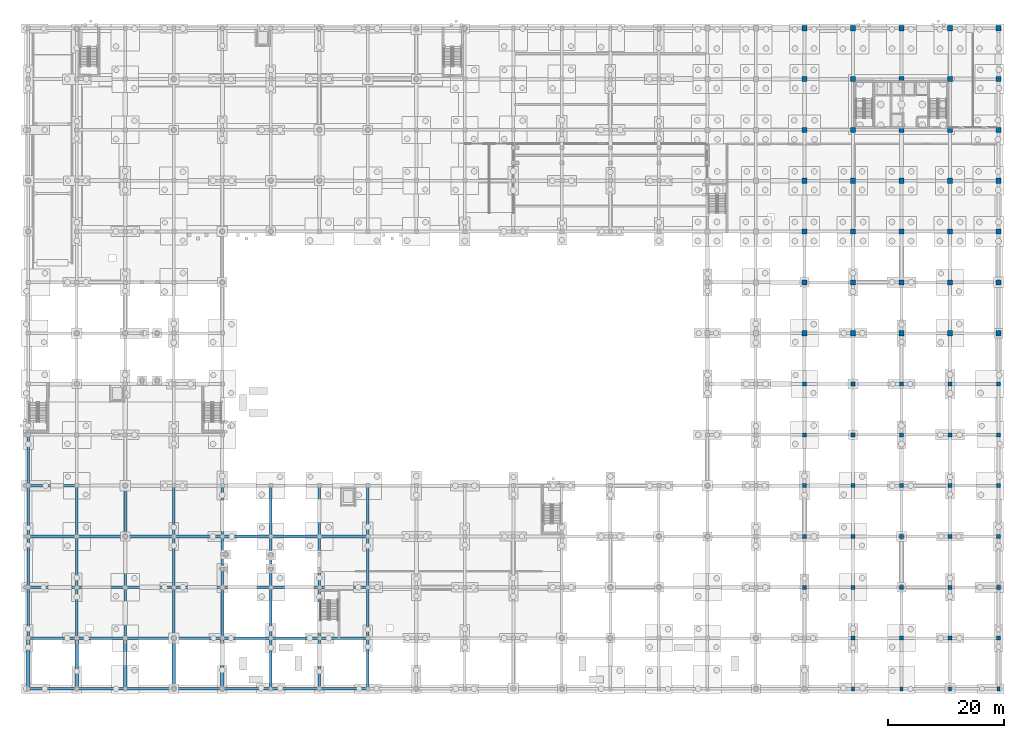
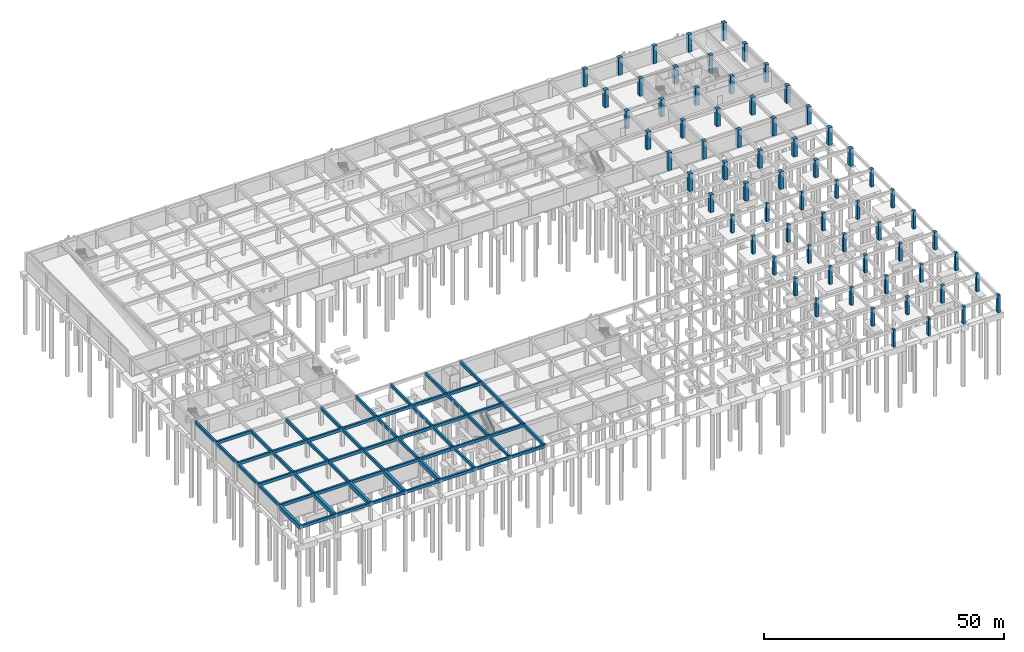
# One storey, part 14 of 41: 68 columns, 62 beams, 2 members.
"""IFC4 building model written with IfcOpenShell, lengths in metres."""

from ifc_helpers import new_model, si_unit, direction, frame, origin, origin_2d, place, context, subcontext, project, spatial, rectangle, hollow_rectangle, extrude, material, material_profile, profile_set, type_object, element, save


model = new_model("IFC4")

# Units and contexts
model_context = context("Model", 3, precision=1e-05, world=origin(), true_north=direction((0.0, 1.0)))
body_context = subcontext(model_context, "Body", "Model", "MODEL_VIEW")
ifc_project = project(units=[si_unit("LENGTHUNIT", "METRE"), si_unit("AREAUNIT", "SQUARE_METRE"), si_unit("VOLUMEUNIT", "CUBIC_METRE"), si_unit("PLANEANGLEUNIT", "RADIAN"), si_unit("MASSUNIT", "GRAM", prefix="KILO")], contexts=[model_context])

# Site, building, storey
site_placement = place(None, origin())
site = spatial("IfcSite", under=ifc_project, at=site_placement, CompositionType="ELEMENT")
building_placement = place(site_placement, origin())
building = spatial("IfcBuilding", under=site, at=building_placement, Name="Kemercrest Conservatory and Botanical Centre", CompositionType="ELEMENT")
storey_placement = place(building_placement, frame((0.0, 0.0, -4.5)))
storey = spatial("IfcBuildingStorey", under=building, at=storey_placement, Name="B1", CompositionType="ELEMENT", Elevation=-4.5)

# Columns
ifc_material_1 = material(Name="Concrete C50/60", Category="concrete")
ifc_material_profile_1 = material_profile(ifc_material_1, rectangle(XDim=0.699951171875, YDim=0.699951171875, at=origin_2d()), Name="RC 700x700")
ifc_profile_set_1 = profile_set([ifc_material_profile_1], Name="Concrete C50/60")
column_type_1 = type_object("IfcColumnType", Name="C-RC70", PredefinedType="COLUMN", material=ifc_profile_set_1)
for number, where, z_axis, x_axis, name in (
    (1, (142.39990234375, 25.60009765625, 0.0), (0.0, 0.0, 1.0), (1.0, 0.0, 0.0), "Basement column C-RC70 at 17/C"),
    (2, (142.39990234375, 34.39990234375, 0.0), (0.0, 0.0, 1.0), (1.0, 0.0, 0.0), "Basement column C-RC70 at 17/D"),
    (3, (142.39990234375, 43.199951171875, 0.0), (0.0, 0.0, 1.0), (1.0, 0.0, 0.0), "Basement column C-RC70 at 17/E"),
    (4, (142.39990234375, 52.0, 0.0), (0.0, 0.0, 1.0), (1.0, 0.0, 0.0), "Basement column C-RC70 at 17/F"),
    (5, (142.39990234375, 60.800048828125, 0.0), (0.0, 0.0, 1.0), (1.0, 0.0, 0.0), "Basement column C-RC70 at 17/G"),
    (6, (150.800048828125, 16.800048828125, 0.0), (0.0, 0.0, 1.0), (1.0, 0.0, 0.0), "Basement column C-RC70 at 18/B"),
    (7, (150.800048828125, 25.60009765625, 0.0), (0.0, 0.0, 1.0), (1.0, 0.0, 0.0), "Basement column C-RC70 at 18/C"),
    (8, (150.800048828125, 34.39990234375, 0.0), (0.0, 0.0, 1.0), (1.0, 0.0, 0.0), "Basement column C-RC70 at 18/D"),
    (9, (150.800048828125, 43.199951171875, 0.0), (0.0, 0.0, 1.0), (1.0, 0.0, 0.0), "Basement column C-RC70 at 18/E"),
    (10, (150.800048828125, 52.0, 0.0), (0.0, 0.0, 1.0), (1.0, 0.0, 0.0), "Basement column C-RC70 at 18/F"),
    (11, (150.800048828125, 60.800048828125, 0.0), (0.0, 0.0, 1.0), (1.0, 0.0, 0.0), "Basement column C-RC70 at 18/G"),
    (12, (159.199951171875, 16.800048828125, 0.0), (0.0, 0.0, 1.0), (1.0, 0.0, 0.0), "Basement column C-RC70 at 19/B"),
    (13, (159.199951171875, 25.60009765625, 0.0), (0.0, 0.0, 1.0), (1.0, 0.0, 0.0), "Basement column C-RC70 at 19/C"),
    (14, (159.199951171875, 34.39990234375, 0.0), (0.0, 0.0, 1.0), (1.0, 0.0, 0.0), "Basement column C-RC70 at 19/D"),
    (15, (159.199951171875, 43.199951171875, 0.0), (0.0, 0.0, 1.0), (1.0, 0.0, 0.0), "Basement column C-RC70 at 19/E"),
    (16, (159.199951171875, 52.0, 0.0), (0.0, 0.0, 1.0), (1.0, 0.0, 0.0), "Basement column C-RC70 at 19/F"),
    (17, (159.199951171875, 60.800048828125, 0.0), (0.0, 0.0, 1.0), (1.0, 0.0, 0.0), "Basement column C-RC70 at 19/G"),
    (18, (167.60009765625, 16.800048828125, 0.0), (0.0, 0.0, 1.0), (1.0, 0.0, 0.0), "Basement column C-RC70 at 20/B"),
    (19, (167.60009765625, 25.60009765625, 0.0), (0.0, 0.0, 1.0), (1.0, 0.0, 0.0), "Basement column C-RC70 at 20/C"),
    (20, (167.60009765625, 34.39990234375, 0.0), (0.0, 0.0, 1.0), (1.0, 0.0, 0.0), "Basement column C-RC70 at 20/D"),
    (21, (167.60009765625, 43.199951171875, 0.0), (0.0, 0.0, 1.0), (1.0, 0.0, 0.0), "Basement column C-RC70 at 20/E"),
    (22, (167.60009765625, 52.0, 0.0), (0.0, 0.0, 1.0), (1.0, 0.0, 0.0), "Basement column C-RC70 at 20/F"),
    (23, (167.60009765625, 60.800048828125, 0.0), (0.0, 0.0, 1.0), (1.0, 0.0, 0.0), "Basement column C-RC70 at 20/G"),
    (24, (176.0, 16.800048828125, 0.0), (0.0, 0.0, 1.0), (1.0, 0.0, 0.0), "Basement column C-RC70 at 21/B"),
    (25, (176.0, 25.60009765625, 0.0), (0.0, 0.0, 1.0), (1.0, 0.0, 0.0), "Basement column C-RC70 at 21/C"),
    (26, (176.0, 34.39990234375, 0.0), (0.0, 0.0, 1.0), (1.0, 0.0, 0.0), "Basement column C-RC70 at 21/D"),
    (27, (176.0, 43.199951171875, 0.0), (0.0, 0.0, 1.0), (1.0, 0.0, 0.0), "Basement column C-RC70 at 21/E"),
    (28, (176.0, 52.0, 0.0), (0.0, 0.0, 1.0), (1.0, 0.0, 0.0), "Basement column C-RC70 at 21/F"),
    (29, (176.0, 60.800048828125, 0.0), (0.0, 0.0, 1.0), (1.0, 0.0, 0.0), "Basement column C-RC70 at 21/G"),
):
    element("IfcColumn", number, at=place(storey_placement, frame(where, z_axis=z_axis, x_axis=x_axis)), inside=storey, type_object=column_type_1, Name=name, PredefinedType="COLUMN", context=body_context, shape_type="SweptSolid", body=[
        extrude(rectangle(XDim=0.699951171875, YDim=0.699951171875, at=origin_2d()), origin(), (0.0, 0.0, 1.0), 4.5),
    ])
ifc_material_profile_2 = material_profile(ifc_material_1, rectangle(XDim=0.550048828125, YDim=0.75, at=origin_2d()), Name="RC 750x550")
ifc_profile_set_2 = profile_set([ifc_material_profile_2], Name="Concrete C50/60")
column_type_2 = type_object("IfcColumnType", Name="C-RC75", PredefinedType="COLUMN", material=ifc_profile_set_2)
for number, where, z_axis, x_axis, name in (
    (30, (150.800048828125, 8.0, 0.0), (0.0, 0.0, 1.0), (1.0, 0.0, 0.0), "Basement column C-RC75 at 18/A"),
    (31, (159.199951171875, 8.0, 0.0), (0.0, 0.0, 1.0), (1.0, 0.0, 0.0), "Basement column C-RC75 at 19/A"),
    (32, (167.60009765625, 8.0, 0.0), (0.0, 0.0, 1.0), (1.0, 0.0, 0.0), "Basement column C-RC75 at 20/A"),
    (33, (176.0, 8.0, 0.0), (0.0, 0.0, 1.0), (1.0, 0.0, 0.0), "Basement column C-RC75 at 21/A"),
):
    element("IfcColumn", number, at=place(storey_placement, frame(where, z_axis=z_axis, x_axis=x_axis)), inside=storey, type_object=column_type_2, Name=name, PredefinedType="COLUMN", context=body_context, shape_type="SweptSolid", body=[
        extrude(rectangle(XDim=0.550048828125, YDim=0.75, at=origin_2d()), origin(), (0.0, 0.0, 1.0), 4.5),
    ])
ifc_material_profile_3 = material_profile(ifc_material_1, rectangle(XDim=0.89990234375, YDim=0.89990234375, at=origin_2d()), Name="RC 900x900")
ifc_profile_set_3 = profile_set([ifc_material_profile_3], Name="Concrete C50/60")
column_type_3 = type_object("IfcColumnType", Name="C-RC90", PredefinedType="COLUMN", material=ifc_profile_set_3)
for number, where, z_axis, x_axis, name in (
    (34, (142.39990234375, 69.60009765625, 0.0), (0.0, 0.0, 1.0), (1.0, 0.0, 0.0), "Basement column C-RC90 at 17/H"),
    (35, (142.39990234375, 78.39990234375, 0.0), (0.0, 0.0, 1.0), (1.0, 0.0, 0.0), "Basement column C-RC90 at 17/J"),
    (36, (142.39990234375, 87.199951171875, 0.0), (0.0, 0.0, 1.0), (1.0, 0.0, 0.0), "Basement column C-RC90 at 17/K"),
    (37, (142.39990234375, 96.0, 0.0), (0.0, 0.0, 1.0), (1.0, 0.0, 0.0), "Basement column C-RC90 at 17/L"),
    (38, (142.39990234375, 104.800048828125, 0.0), (0.0, 0.0, 1.0), (1.0, 0.0, 0.0), "Basement column C-RC90 at 17/M"),
    (39, (142.39990234375, 113.60009765625, 0.0), (0.0, 0.0, 1.0), (1.0, 0.0, 0.0), "Basement column C-RC90 at 17/N"),
    (40, (142.39990234375, 122.39990234375, 0.0), (0.0, 0.0, 1.0), (1.0, 0.0, 0.0), "Basement column C-RC90 at 17/P"),
    (41, (150.800048828125, 69.60009765625, 0.0), (0.0, 0.0, 1.0), (1.0, 0.0, 0.0), "Basement column C-RC90 at 18/H"),
    (42, (150.800048828125, 78.39990234375, 0.0), (0.0, 0.0, 1.0), (1.0, 0.0, 0.0), "Basement column C-RC90 at 18/J"),
    (43, (150.800048828125, 87.199951171875, 0.0), (0.0, 0.0, 1.0), (1.0, 0.0, 0.0), "Basement column C-RC90 at 18/K"),
    (44, (150.800048828125, 96.0, 0.0), (0.0, 0.0, 1.0), (1.0, 0.0, 0.0), "Basement column C-RC90 at 18/L"),
    (45, (150.800048828125, 104.800048828125, 0.0), (0.0, 0.0, 1.0), (1.0, 0.0, 0.0), "Basement column C-RC90 at 18/M"),
    (46, (150.800048828125, 113.60009765625, 0.0), (0.0, 0.0, 1.0), (1.0, 0.0, 0.0), "Basement column C-RC90 at 18/N"),
    (47, (150.800048828125, 122.39990234375, 0.0), (0.0, 0.0, 1.0), (1.0, 0.0, 0.0), "Basement column C-RC90 at 18/P"),
    (48, (159.199951171875, 69.60009765625, 0.0), (0.0, 0.0, 1.0), (1.0, 0.0, 0.0), "Basement column C-RC90 at 19/H"),
    (49, (159.199951171875, 78.39990234375, 0.0), (0.0, 0.0, 1.0), (1.0, 0.0, 0.0), "Basement column C-RC90 at 19/J"),
    (50, (159.199951171875, 87.199951171875, 0.0), (0.0, 0.0, 1.0), (1.0, 0.0, 0.0), "Basement column C-RC90 at 19/K"),
    (51, (159.199951171875, 96.0, 0.0), (0.0, 0.0, 1.0), (1.0, 0.0, 0.0), "Basement column C-RC90 at 19/L"),
    (52, (159.199951171875, 104.800048828125, 0.0), (0.0, 0.0, 1.0), (1.0, 0.0, 0.0), "Basement column C-RC90 at 19/M"),
    (53, (159.199951171875, 113.60009765625, 0.0), (0.0, 0.0, 1.0), (1.0, 0.0, 0.0), "Basement column C-RC90 at 19/N"),
    (54, (159.199951171875, 122.39990234375, 0.0), (0.0, 0.0, 1.0), (1.0, 0.0, 0.0), "Basement column C-RC90 at 19/P"),
    (55, (167.60009765625, 69.60009765625, 0.0), (0.0, 0.0, 1.0), (1.0, 0.0, 0.0), "Basement column C-RC90 at 20/H"),
    (56, (167.60009765625, 78.39990234375, 0.0), (0.0, 0.0, 1.0), (1.0, 0.0, 0.0), "Basement column C-RC90 at 20/J"),
    (57, (167.60009765625, 87.199951171875, 0.0), (0.0, 0.0, 1.0), (1.0, 0.0, 0.0), "Basement column C-RC90 at 20/K"),
    (58, (167.60009765625, 96.0, 0.0), (0.0, 0.0, 1.0), (1.0, 0.0, 0.0), "Basement column C-RC90 at 20/L"),
    (59, (167.60009765625, 104.800048828125, 0.0), (0.0, 0.0, 1.0), (1.0, 0.0, 0.0), "Basement column C-RC90 at 20/M"),
    (60, (167.60009765625, 113.60009765625, 0.0), (0.0, 0.0, 1.0), (1.0, 0.0, 0.0), "Basement column C-RC90 at 20/N"),
    (61, (167.60009765625, 122.39990234375, 0.0), (0.0, 0.0, 1.0), (1.0, 0.0, 0.0), "Basement column C-RC90 at 20/P"),
    (62, (176.0, 69.60009765625, 0.0), (0.0, 0.0, 1.0), (1.0, 0.0, 0.0), "Basement column C-RC90 at 21/H"),
    (63, (176.0, 78.39990234375, 0.0), (0.0, 0.0, 1.0), (1.0, 0.0, 0.0), "Basement column C-RC90 at 21/J"),
    (64, (176.0, 87.199951171875, 0.0), (0.0, 0.0, 1.0), (1.0, 0.0, 0.0), "Basement column C-RC90 at 21/K"),
    (65, (176.0, 96.0, 0.0), (0.0, 0.0, 1.0), (1.0, 0.0, 0.0), "Basement column C-RC90 at 21/L"),
    (66, (176.0, 104.800048828125, 0.0), (0.0, 0.0, 1.0), (1.0, 0.0, 0.0), "Basement column C-RC90 at 21/M"),
    (67, (176.0, 113.60009765625, 0.0), (0.0, 0.0, 1.0), (1.0, 0.0, 0.0), "Basement column C-RC90 at 21/N"),
    (68, (176.0, 122.39990234375, 0.0), (0.0, 0.0, 1.0), (1.0, 0.0, 0.0), "Basement column C-RC90 at 21/P"),
):
    element("IfcColumn", number, at=place(storey_placement, frame(where, z_axis=z_axis, x_axis=x_axis)), inside=storey, type_object=column_type_3, Name=name, PredefinedType="COLUMN", context=body_context, shape_type="SweptSolid", body=[
        extrude(rectangle(XDim=0.89990234375, YDim=0.89990234375, at=origin_2d()), origin(), (0.0, 0.0, 1.0), 4.5),
    ])

# Beams
ifc_material_2 = material(Name="Concrete C40/50", Category="concrete")
ifc_material_profile_4 = material_profile(ifc_material_2, rectangle(XDim=0.449951171875, YDim=0.75, at=origin_2d()), Name="RC 450x750")
ifc_profile_set_4 = profile_set([ifc_material_profile_4], Name="Concrete C40/50")
beam_type_1 = type_object("IfcBeamType", Name="BM-RC75", PredefinedType="BEAM", material=ifc_profile_set_4)
beam_1_placement = place(storey_placement, frame((8.0, 8.0, 4.125), z_axis=(1.0, 0.0, 0.0), x_axis=(0.0, 1.0, 0.0)))
element("IfcBeam", 69, at=beam_1_placement, inside=storey, type_object=beam_type_1, Name="B1 girder 01-02 on A", PredefinedType="BEAM", context=body_context, shape_type="SweptSolid", body=[
    extrude(rectangle(XDim=0.449951171875, YDim=0.75, at=origin_2d()), origin(), (0.0, 0.0, 1.0), 8.39990234375),
])
beam_2_placement = place(storey_placement, frame((16.39990234375, 8.0, 4.125), z_axis=(1.0, 0.0, 0.0), x_axis=(0.0, 1.0, 0.0)))
element("IfcBeam", 70, at=beam_2_placement, inside=storey, type_object=beam_type_1, Name="B1 girder 02-03 on A", PredefinedType="BEAM", context=body_context, shape_type="SweptSolid", body=[
    extrude(rectangle(XDim=0.449951171875, YDim=0.75, at=origin_2d()), origin(), (0.0, 0.0, 1.0), 8.400146484375),
])
beam_3_placement = place(storey_placement, frame((24.800048828125, 8.0, 4.125), z_axis=(1.0, 0.0, 0.0), x_axis=(0.0, 1.0, 0.0)))
element("IfcBeam", 71, at=beam_3_placement, inside=storey, type_object=beam_type_1, Name="B1 girder 03-04 on A", PredefinedType="BEAM", context=body_context, shape_type="SweptSolid", body=[
    extrude(rectangle(XDim=0.449951171875, YDim=0.75, at=origin_2d()), origin(), (0.0, 0.0, 1.0), 8.39990234375),
])
beam_4_placement = place(storey_placement, frame((33.199951171875, 8.0, 4.125), z_axis=(1.0, 0.0, 0.0), x_axis=(0.0, 1.0, 0.0)))
element("IfcBeam", 72, at=beam_4_placement, inside=storey, type_object=beam_type_1, Name="B1 girder 04-05 on A", PredefinedType="BEAM", context=body_context, shape_type="SweptSolid", body=[
    extrude(rectangle(XDim=0.449951171875, YDim=0.75, at=origin_2d()), origin(), (0.0, 0.0, 1.0), 8.400146484375),
])
for number, where, z_axis, x_axis, name in (
    (73, (41.60009765625, 8.0, 4.125), (1.0, 0.0, 0.0), (0.0, 1.0, 0.0), "B1 girder 05-06 on A"),
    (74, (50.0, 8.0, 4.125), (1.0, 0.0, 0.0), (0.0, 1.0, 0.0), "B1 girder 06-07 on A"),
):
    element("IfcBeam", number, at=place(storey_placement, frame(where, z_axis=z_axis, x_axis=x_axis)), inside=storey, type_object=beam_type_1, Name=name, PredefinedType="BEAM", context=body_context, shape_type="SweptSolid", body=[
        extrude(rectangle(XDim=0.449951171875, YDim=0.75, at=origin_2d()), origin(), (0.0, 0.0, 1.0), 8.39990234375),
    ])
beam_5_placement = place(storey_placement, frame((58.39990234375, 8.0, 4.125), z_axis=(1.0, 0.0, 0.0), x_axis=(0.0, 1.0, 0.0)))
element("IfcBeam", 75, at=beam_5_placement, inside=storey, type_object=beam_type_1, Name="B1 girder 07-08 on A", PredefinedType="BEAM", context=body_context, shape_type="SweptSolid", body=[
    extrude(rectangle(XDim=0.449951171875, YDim=0.75, at=origin_2d()), origin(), (0.0, 0.0, 1.0), 8.400146484375),
])
beam_6_placement = place(storey_placement, frame((8.0, 16.800048828125, 4.125), z_axis=(1.0, 0.0, 0.0), x_axis=(0.0, 1.0, 0.0)))
element("IfcBeam", 76, at=beam_6_placement, inside=storey, type_object=beam_type_1, Name="B1 girder 01-02 on B", PredefinedType="BEAM", context=body_context, shape_type="SweptSolid", body=[
    extrude(rectangle(XDim=0.449951171875, YDim=0.75, at=origin_2d()), origin(), (0.0, 0.0, 1.0), 8.39990234375),
])
beam_7_placement = place(storey_placement, frame((16.39990234375, 16.800048828125, 4.125), z_axis=(1.0, 0.0, 0.0), x_axis=(0.0, 1.0, 0.0)))
element("IfcBeam", 77, at=beam_7_placement, inside=storey, type_object=beam_type_1, Name="B1 girder 02-03 on B", PredefinedType="BEAM", context=body_context, shape_type="SweptSolid", body=[
    extrude(rectangle(XDim=0.449951171875, YDim=0.75, at=origin_2d()), origin(), (0.0, 0.0, 1.0), 8.400146484375),
])
beam_8_placement = place(storey_placement, frame((24.800048828125, 16.800048828125, 4.125), z_axis=(1.0, 0.0, 0.0), x_axis=(0.0, 1.0, 0.0)))
element("IfcBeam", 78, at=beam_8_placement, inside=storey, type_object=beam_type_1, Name="B1 girder 03-04 on B", PredefinedType="BEAM", context=body_context, shape_type="SweptSolid", body=[
    extrude(rectangle(XDim=0.449951171875, YDim=0.75, at=origin_2d()), origin(), (0.0, 0.0, 1.0), 8.39990234375),
])
beam_9_placement = place(storey_placement, frame((33.199951171875, 16.800048828125, 4.125), z_axis=(1.0, 0.0, 0.0), x_axis=(0.0, 1.0, 0.0)))
element("IfcBeam", 79, at=beam_9_placement, inside=storey, type_object=beam_type_1, Name="B1 girder 04-05 on B", PredefinedType="BEAM", context=body_context, shape_type="SweptSolid", body=[
    extrude(rectangle(XDim=0.449951171875, YDim=0.75, at=origin_2d()), origin(), (0.0, 0.0, 1.0), 8.400146484375),
])
for number, where, z_axis, x_axis, name in (
    (80, (41.60009765625, 16.800048828125, 4.125), (1.0, 0.0, 0.0), (0.0, 1.0, 0.0), "B1 girder 05-06 on B"),
    (81, (50.0, 16.800048828125, 4.125), (1.0, 0.0, 0.0), (0.0, 1.0, 0.0), "B1 girder 06-07 on B"),
):
    element("IfcBeam", number, at=place(storey_placement, frame(where, z_axis=z_axis, x_axis=x_axis)), inside=storey, type_object=beam_type_1, Name=name, PredefinedType="BEAM", context=body_context, shape_type="SweptSolid", body=[
        extrude(rectangle(XDim=0.449951171875, YDim=0.75, at=origin_2d()), origin(), (0.0, 0.0, 1.0), 8.39990234375),
    ])
beam_10_placement = place(storey_placement, frame((58.39990234375, 16.800048828125, 4.125), z_axis=(1.0, 0.0, 0.0), x_axis=(0.0, 1.0, 0.0)))
element("IfcBeam", 82, at=beam_10_placement, inside=storey, type_object=beam_type_1, Name="B1 girder 07-08 on B", PredefinedType="BEAM", context=body_context, shape_type="SweptSolid", body=[
    extrude(rectangle(XDim=0.449951171875, YDim=0.75, at=origin_2d()), origin(), (0.0, 0.0, 1.0), 8.400146484375),
])
beam_11_placement = place(storey_placement, frame((8.0, 25.60009765625, 4.125), z_axis=(1.0, 0.0, 0.0), x_axis=(0.0, 1.0, 0.0)))
element("IfcBeam", 83, at=beam_11_placement, inside=storey, type_object=beam_type_1, Name="B1 girder 01-02 on C", PredefinedType="BEAM", context=body_context, shape_type="SweptSolid", body=[
    extrude(rectangle(XDim=0.449951171875, YDim=0.75, at=origin_2d()), origin(), (0.0, 0.0, 1.0), 8.39990234375),
])
beam_12_placement = place(storey_placement, frame((16.39990234375, 25.60009765625, 4.125), z_axis=(1.0, 0.0, 0.0), x_axis=(0.0, 1.0, 0.0)))
element("IfcBeam", 84, at=beam_12_placement, inside=storey, type_object=beam_type_1, Name="B1 girder 02-03 on C", PredefinedType="BEAM", context=body_context, shape_type="SweptSolid", body=[
    extrude(rectangle(XDim=0.449951171875, YDim=0.75, at=origin_2d()), origin(), (0.0, 0.0, 1.0), 8.400146484375),
])
beam_13_placement = place(storey_placement, frame((24.800048828125, 25.60009765625, 4.125), z_axis=(1.0, 0.0, 0.0), x_axis=(0.0, 1.0, 0.0)))
element("IfcBeam", 85, at=beam_13_placement, inside=storey, type_object=beam_type_1, Name="B1 girder 03-04 on C", PredefinedType="BEAM", context=body_context, shape_type="SweptSolid", body=[
    extrude(rectangle(XDim=0.449951171875, YDim=0.75, at=origin_2d()), origin(), (0.0, 0.0, 1.0), 8.39990234375),
])
beam_14_placement = place(storey_placement, frame((33.199951171875, 25.60009765625, 4.125), z_axis=(1.0, 0.0, 0.0), x_axis=(0.0, 1.0, 0.0)))
element("IfcBeam", 86, at=beam_14_placement, inside=storey, type_object=beam_type_1, Name="B1 girder 04-05 on C", PredefinedType="BEAM", context=body_context, shape_type="SweptSolid", body=[
    extrude(rectangle(XDim=0.449951171875, YDim=0.75, at=origin_2d()), origin(), (0.0, 0.0, 1.0), 8.400146484375),
])
for number, where, z_axis, x_axis, name in (
    (87, (41.60009765625, 25.60009765625, 4.125), (1.0, 0.0, 0.0), (0.0, 1.0, 0.0), "B1 girder 05-06 on C"),
    (88, (50.0, 25.60009765625, 4.125), (1.0, 0.0, 0.0), (0.0, 1.0, 0.0), "B1 girder 06-07 on C"),
):
    element("IfcBeam", number, at=place(storey_placement, frame(where, z_axis=z_axis, x_axis=x_axis)), inside=storey, type_object=beam_type_1, Name=name, PredefinedType="BEAM", context=body_context, shape_type="SweptSolid", body=[
        extrude(rectangle(XDim=0.449951171875, YDim=0.75, at=origin_2d()), origin(), (0.0, 0.0, 1.0), 8.39990234375),
    ])
beam_15_placement = place(storey_placement, frame((58.39990234375, 25.60009765625, 4.125), z_axis=(1.0, 0.0, 0.0), x_axis=(0.0, 1.0, 0.0)))
element("IfcBeam", 89, at=beam_15_placement, inside=storey, type_object=beam_type_1, Name="B1 girder 07-08 on C", PredefinedType="BEAM", context=body_context, shape_type="SweptSolid", body=[
    extrude(rectangle(XDim=0.449951171875, YDim=0.75, at=origin_2d()), origin(), (0.0, 0.0, 1.0), 8.400146484375),
])
beam_16_placement = place(storey_placement, frame((8.0, 34.39990234375, 4.125), z_axis=(1.0, 0.0, 0.0), x_axis=(0.0, 1.0, 0.0)))
element("IfcBeam", 90, at=beam_16_placement, inside=storey, type_object=beam_type_1, Name="B1 girder 01-02 on D", PredefinedType="BEAM", context=body_context, shape_type="SweptSolid", body=[
    extrude(rectangle(XDim=0.449951171875, YDim=0.75, at=origin_2d()), origin(), (0.0, 0.0, 1.0), 8.39990234375),
])
beam_17_placement = place(storey_placement, frame((16.39990234375, 34.39990234375, 4.125), z_axis=(1.0, 0.0, 0.0), x_axis=(0.0, 1.0, 0.0)))
element("IfcBeam", 91, at=beam_17_placement, inside=storey, type_object=beam_type_1, Name="B1 girder 02-03 on D", PredefinedType="BEAM", context=body_context, shape_type="SweptSolid", body=[
    extrude(rectangle(XDim=0.449951171875, YDim=0.75, at=origin_2d()), origin(), (0.0, 0.0, 1.0), 8.400146484375),
])
beam_18_placement = place(storey_placement, frame((24.800048828125, 34.39990234375, 4.125), z_axis=(1.0, 0.0, 0.0), x_axis=(0.0, 1.0, 0.0)))
element("IfcBeam", 92, at=beam_18_placement, inside=storey, type_object=beam_type_1, Name="B1 girder 03-04 on D", PredefinedType="BEAM", context=body_context, shape_type="SweptSolid", body=[
    extrude(rectangle(XDim=0.449951171875, YDim=0.75, at=origin_2d()), origin(), (0.0, 0.0, 1.0), 8.39990234375),
])
beam_19_placement = place(storey_placement, frame((33.199951171875, 34.39990234375, 4.125), z_axis=(1.0, 0.0, 0.0), x_axis=(0.0, 1.0, 0.0)))
element("IfcBeam", 93, at=beam_19_placement, inside=storey, type_object=beam_type_1, Name="B1 girder 04-05 on D", PredefinedType="BEAM", context=body_context, shape_type="SweptSolid", body=[
    extrude(rectangle(XDim=0.449951171875, YDim=0.75, at=origin_2d()), origin(), (0.0, 0.0, 1.0), 8.400146484375),
])
for number, where, z_axis, x_axis, name in (
    (94, (41.60009765625, 34.39990234375, 4.125), (1.0, 0.0, 0.0), (0.0, 1.0, 0.0), "B1 girder 05-06 on D"),
    (95, (50.0, 34.39990234375, 4.125), (1.0, 0.0, 0.0), (0.0, 1.0, 0.0), "B1 girder 06-07 on D"),
):
    element("IfcBeam", number, at=place(storey_placement, frame(where, z_axis=z_axis, x_axis=x_axis)), inside=storey, type_object=beam_type_1, Name=name, PredefinedType="BEAM", context=body_context, shape_type="SweptSolid", body=[
        extrude(rectangle(XDim=0.449951171875, YDim=0.75, at=origin_2d()), origin(), (0.0, 0.0, 1.0), 8.39990234375),
    ])
beam_20_placement = place(storey_placement, frame((58.39990234375, 34.39990234375, 4.125), z_axis=(1.0, 0.0, 0.0), x_axis=(0.0, 1.0, 0.0)))
element("IfcBeam", 96, at=beam_20_placement, inside=storey, type_object=beam_type_1, Name="B1 girder 07-08 on D", PredefinedType="BEAM", context=body_context, shape_type="SweptSolid", body=[
    extrude(rectangle(XDim=0.449951171875, YDim=0.75, at=origin_2d()), origin(), (0.0, 0.0, 1.0), 8.400146484375),
])
beam_21_placement = place(storey_placement, frame((8.0, 43.199951171875, 4.125), z_axis=(1.0, 0.0, 0.0), x_axis=(0.0, 1.0, 0.0)))
element("IfcBeam", 97, at=beam_21_placement, inside=storey, type_object=beam_type_1, Name="B1 girder 01-02 on E", PredefinedType="BEAM", context=body_context, shape_type="SweptSolid", body=[
    extrude(rectangle(XDim=0.449951171875, YDim=0.75, at=origin_2d()), origin(), (0.0, 0.0, 1.0), 8.39990234375),
])
beam_22_placement = place(storey_placement, frame((8.0, 16.800048828125, 4.125), z_axis=(0.0, 1.0, 0.0), x_axis=(-1.0, 0.0, 0.0)))
element("IfcBeam", 98, at=beam_22_placement, inside=storey, type_object=beam_type_1, Name="B1 girder B-C on 01", PredefinedType="BEAM", context=body_context, shape_type="SweptSolid", body=[
    extrude(rectangle(XDim=0.449951171875, YDim=0.75, at=origin_2d()), origin(), (0.0, 0.0, 1.0), 8.800048828125),
])
beam_23_placement = place(storey_placement, frame((8.0, 25.60009765625, 4.125), z_axis=(0.0, 1.0, 0.0), x_axis=(-1.0, 0.0, 0.0)))
element("IfcBeam", 99, at=beam_23_placement, inside=storey, type_object=beam_type_1, Name="B1 girder C-D on 01", PredefinedType="BEAM", context=body_context, shape_type="SweptSolid", body=[
    extrude(rectangle(XDim=0.449951171875, YDim=0.75, at=origin_2d()), origin(), (0.0, 0.0, 1.0), 8.7998046875),
])
for number, where, z_axis, x_axis, name in (
    (100, (8.0, 34.39990234375, 4.125), (0.0, 1.0, 0.0), (-1.0, 0.0, 0.0), "B1 girder D-E on 01"),
    (101, (8.0, 43.199951171875, 4.125), (0.0, 1.0, 0.0), (-1.0, 0.0, 0.0), "B1 girder E-F on 01"),
    (102, (16.39990234375, 16.800048828125, 4.125), (0.0, 1.0, 0.0), (-1.0, 0.0, 0.0), "B1 girder B-C on 02"),
):
    element("IfcBeam", number, at=place(storey_placement, frame(where, z_axis=z_axis, x_axis=x_axis)), inside=storey, type_object=beam_type_1, Name=name, PredefinedType="BEAM", context=body_context, shape_type="SweptSolid", body=[
        extrude(rectangle(XDim=0.449951171875, YDim=0.75, at=origin_2d()), origin(), (0.0, 0.0, 1.0), 8.800048828125),
    ])
beam_24_placement = place(storey_placement, frame((16.39990234375, 25.60009765625, 4.125), z_axis=(0.0, 1.0, 0.0), x_axis=(-1.0, 0.0, 0.0)))
element("IfcBeam", 103, at=beam_24_placement, inside=storey, type_object=beam_type_1, Name="B1 girder C-D on 02", PredefinedType="BEAM", context=body_context, shape_type="SweptSolid", body=[
    extrude(rectangle(XDim=0.449951171875, YDim=0.75, at=origin_2d()), origin(), (0.0, 0.0, 1.0), 8.7998046875),
])
for number, where, z_axis, x_axis, name in (
    (104, (16.39990234375, 34.39990234375, 4.125), (0.0, 1.0, 0.0), (-1.0, 0.0, 0.0), "B1 girder D-E on 02"),
    (105, (24.800048828125, 16.800048828125, 4.125), (0.0, 1.0, 0.0), (-1.0, 0.0, 0.0), "B1 girder B-C on 03"),
):
    element("IfcBeam", number, at=place(storey_placement, frame(where, z_axis=z_axis, x_axis=x_axis)), inside=storey, type_object=beam_type_1, Name=name, PredefinedType="BEAM", context=body_context, shape_type="SweptSolid", body=[
        extrude(rectangle(XDim=0.449951171875, YDim=0.75, at=origin_2d()), origin(), (0.0, 0.0, 1.0), 8.800048828125),
    ])
beam_25_placement = place(storey_placement, frame((24.800048828125, 25.60009765625, 4.125), z_axis=(0.0, 1.0, 0.0), x_axis=(-1.0, 0.0, 0.0)))
element("IfcBeam", 106, at=beam_25_placement, inside=storey, type_object=beam_type_1, Name="B1 girder C-D on 03", PredefinedType="BEAM", context=body_context, shape_type="SweptSolid", body=[
    extrude(rectangle(XDim=0.449951171875, YDim=0.75, at=origin_2d()), origin(), (0.0, 0.0, 1.0), 8.7998046875),
])
for number, where, z_axis, x_axis, name in (
    (107, (24.800048828125, 34.39990234375, 4.125), (0.0, 1.0, 0.0), (-1.0, 0.0, 0.0), "B1 girder D-E on 03"),
    (108, (33.199951171875, 16.800048828125, 4.125), (0.0, 1.0, 0.0), (-1.0, 0.0, 0.0), "B1 girder B-C on 04"),
):
    element("IfcBeam", number, at=place(storey_placement, frame(where, z_axis=z_axis, x_axis=x_axis)), inside=storey, type_object=beam_type_1, Name=name, PredefinedType="BEAM", context=body_context, shape_type="SweptSolid", body=[
        extrude(rectangle(XDim=0.449951171875, YDim=0.75, at=origin_2d()), origin(), (0.0, 0.0, 1.0), 8.800048828125),
    ])
beam_26_placement = place(storey_placement, frame((33.199951171875, 25.60009765625, 4.125), z_axis=(0.0, 1.0, 0.0), x_axis=(-1.0, 0.0, 0.0)))
element("IfcBeam", 109, at=beam_26_placement, inside=storey, type_object=beam_type_1, Name="B1 girder C-D on 04", PredefinedType="BEAM", context=body_context, shape_type="SweptSolid", body=[
    extrude(rectangle(XDim=0.449951171875, YDim=0.75, at=origin_2d()), origin(), (0.0, 0.0, 1.0), 8.7998046875),
])
for number, where, z_axis, x_axis, name in (
    (110, (33.199951171875, 34.39990234375, 4.125), (0.0, 1.0, 0.0), (-1.0, 0.0, 0.0), "B1 girder D-E on 04"),
    (111, (41.60009765625, 16.800048828125, 4.125), (0.0, 1.0, 0.0), (-1.0, 0.0, 0.0), "B1 girder B-C on 05"),
):
    element("IfcBeam", number, at=place(storey_placement, frame(where, z_axis=z_axis, x_axis=x_axis)), inside=storey, type_object=beam_type_1, Name=name, PredefinedType="BEAM", context=body_context, shape_type="SweptSolid", body=[
        extrude(rectangle(XDim=0.449951171875, YDim=0.75, at=origin_2d()), origin(), (0.0, 0.0, 1.0), 8.800048828125),
    ])
beam_27_placement = place(storey_placement, frame((41.60009765625, 25.60009765625, 4.125), z_axis=(0.0, 1.0, 0.0), x_axis=(-1.0, 0.0, 0.0)))
element("IfcBeam", 112, at=beam_27_placement, inside=storey, type_object=beam_type_1, Name="B1 girder C-D on 05", PredefinedType="BEAM", context=body_context, shape_type="SweptSolid", body=[
    extrude(rectangle(XDim=0.449951171875, YDim=0.75, at=origin_2d()), origin(), (0.0, 0.0, 1.0), 8.7998046875),
])
for number, where, z_axis, x_axis, name in (
    (113, (41.60009765625, 34.39990234375, 4.125), (0.0, 1.0, 0.0), (-1.0, 0.0, 0.0), "B1 girder D-E on 05"),
    (114, (50.0, 8.0, 4.125), (0.0, 1.0, 0.0), (-1.0, 0.0, 0.0), "B1 girder A-B on 06"),
    (115, (50.0, 16.800048828125, 4.125), (0.0, 1.0, 0.0), (-1.0, 0.0, 0.0), "B1 girder B-C on 06"),
):
    element("IfcBeam", number, at=place(storey_placement, frame(where, z_axis=z_axis, x_axis=x_axis)), inside=storey, type_object=beam_type_1, Name=name, PredefinedType="BEAM", context=body_context, shape_type="SweptSolid", body=[
        extrude(rectangle(XDim=0.449951171875, YDim=0.75, at=origin_2d()), origin(), (0.0, 0.0, 1.0), 8.800048828125),
    ])
beam_28_placement = place(storey_placement, frame((50.0, 25.60009765625, 4.125), z_axis=(0.0, 1.0, 0.0), x_axis=(-1.0, 0.0, 0.0)))
element("IfcBeam", 116, at=beam_28_placement, inside=storey, type_object=beam_type_1, Name="B1 girder C-D on 06", PredefinedType="BEAM", context=body_context, shape_type="SweptSolid", body=[
    extrude(rectangle(XDim=0.449951171875, YDim=0.75, at=origin_2d()), origin(), (0.0, 0.0, 1.0), 8.7998046875),
])
for number, where, z_axis, x_axis, name in (
    (117, (50.0, 34.39990234375, 4.125), (0.0, 1.0, 0.0), (-1.0, 0.0, 0.0), "B1 girder D-E on 06"),
    (118, (58.39990234375, 8.0, 4.125), (0.0, 1.0, 0.0), (-1.0, 0.0, 0.0), "B1 girder A-B on 07"),
    (119, (58.39990234375, 16.800048828125, 4.125), (0.0, 1.0, 0.0), (-1.0, 0.0, 0.0), "B1 girder B-C on 07"),
):
    element("IfcBeam", number, at=place(storey_placement, frame(where, z_axis=z_axis, x_axis=x_axis)), inside=storey, type_object=beam_type_1, Name=name, PredefinedType="BEAM", context=body_context, shape_type="SweptSolid", body=[
        extrude(rectangle(XDim=0.449951171875, YDim=0.75, at=origin_2d()), origin(), (0.0, 0.0, 1.0), 8.800048828125),
    ])
beam_29_placement = place(storey_placement, frame((58.39990234375, 25.60009765625, 4.125), z_axis=(0.0, 1.0, 0.0), x_axis=(-1.0, 0.0, 0.0)))
element("IfcBeam", 120, at=beam_29_placement, inside=storey, type_object=beam_type_1, Name="B1 girder C-D on 07", PredefinedType="BEAM", context=body_context, shape_type="SweptSolid", body=[
    extrude(rectangle(XDim=0.449951171875, YDim=0.75, at=origin_2d()), origin(), (0.0, 0.0, 1.0), 8.7998046875),
])
for number, where, z_axis, x_axis, name in (
    (121, (58.39990234375, 34.39990234375, 4.125), (0.0, 1.0, 0.0), (-1.0, 0.0, 0.0), "B1 girder D-E on 07"),
    (122, (66.800048828125, 8.0, 4.125), (0.0, 1.0, 0.0), (-1.0, 0.0, 0.0), "B1 girder A-B on 08"),
    (123, (66.800048828125, 16.800048828125, 4.125), (0.0, 1.0, 0.0), (-1.0, 0.0, 0.0), "B1 girder B-C on 08"),
):
    element("IfcBeam", number, at=place(storey_placement, frame(where, z_axis=z_axis, x_axis=x_axis)), inside=storey, type_object=beam_type_1, Name=name, PredefinedType="BEAM", context=body_context, shape_type="SweptSolid", body=[
        extrude(rectangle(XDim=0.449951171875, YDim=0.75, at=origin_2d()), origin(), (0.0, 0.0, 1.0), 8.800048828125),
    ])
beam_30_placement = place(storey_placement, frame((66.800048828125, 25.60009765625, 4.125), z_axis=(0.0, 1.0, 0.0), x_axis=(-1.0, 0.0, 0.0)))
element("IfcBeam", 124, at=beam_30_placement, inside=storey, type_object=beam_type_1, Name="B1 girder C-D on 08", PredefinedType="BEAM", context=body_context, shape_type="SweptSolid", body=[
    extrude(rectangle(XDim=0.449951171875, YDim=0.75, at=origin_2d()), origin(), (0.0, 0.0, 1.0), 8.7998046875),
])
beam_31_placement = place(storey_placement, frame((66.800048828125, 34.39990234375, 4.125), z_axis=(0.0, 1.0, 0.0), x_axis=(-1.0, 0.0, 0.0)))
element("IfcBeam", 125, at=beam_31_placement, inside=storey, type_object=beam_type_1, Name="B1 girder D-E on 08", PredefinedType="BEAM", context=body_context, shape_type="SweptSolid", body=[
    extrude(rectangle(XDim=0.449951171875, YDim=0.75, at=origin_2d()), origin(), (0.0, 0.0, 1.0), 8.800048828125),
])
ifc_material_profile_5 = material_profile(ifc_material_1, rectangle(XDim=0.60009765625, YDim=1.10009765625, at=origin_2d()), Name="RC 600x1100")
ifc_profile_set_5 = profile_set([ifc_material_profile_5], Name="Concrete C50/60")
beam_type_2 = type_object("IfcBeamType", Name="BM-TG110", PredefinedType="BEAM", material=ifc_profile_set_5)
for number, where, z_axis, x_axis, name in (
    (126, (8.0, 8.0, 3.949951171875), (0.0, 1.0, 0.0), (-1.0, 0.0, 0.0), "B1 colonnade transfer girder A-B on 01"),
    (127, (16.39990234375, 8.0, 3.949951171875), (0.0, 1.0, 0.0), (-1.0, 0.0, 0.0), "B1 colonnade transfer girder A-B on 02"),
    (128, (24.800048828125, 8.0, 3.949951171875), (0.0, 1.0, 0.0), (-1.0, 0.0, 0.0), "B1 colonnade transfer girder A-B on 03"),
    (129, (33.199951171875, 8.0, 3.949951171875), (0.0, 1.0, 0.0), (-1.0, 0.0, 0.0), "B1 colonnade transfer girder A-B on 04"),
    (130, (41.60009765625, 8.0, 3.949951171875), (0.0, 1.0, 0.0), (-1.0, 0.0, 0.0), "B1 colonnade transfer girder A-B on 05"),
):
    element("IfcBeam", number, at=place(storey_placement, frame(where, z_axis=z_axis, x_axis=x_axis)), inside=storey, type_object=beam_type_2, Name=name, PredefinedType="BEAM", context=body_context, shape_type="SweptSolid", body=[
        extrude(rectangle(XDim=0.60009765625, YDim=1.10009765625, at=origin_2d()), origin(), (0.0, 0.0, 1.0), 8.800048828125),
    ])

# Members
ifc_material_3 = material(Name="Steel CSA G40.21 350W", Category="steel")
ifc_material_profile_6 = material_profile(ifc_material_3, hollow_rectangle(XDim=0.15234375, YDim=0.25390625, WallThickness=0.009521484375, InnerFilletRadius=0.009521484375, OuterFilletRadius=0.01904296875, at=origin_2d()), Name="HSS 254x152x9.5")
ifc_profile_set_6 = profile_set([ifc_material_profile_6], Name="Steel CSA G40.21 350W")
member_type = type_object("IfcMemberType", Name="SR-STR254", PredefinedType="STRINGER", material=ifc_profile_set_6)
for number, where, z_axis, x_axis, name in (
    (131, (58.590087890625, 23.43994140625, -0.10009765625), (0.0, -0.844750210241, 0.535160800412), (1.0, 0.0, 0.0), "Stair ST-V2A steel stringer #9"),
    (132, (61.610107421875, 23.43994140625, 4.3798828125), (0.0, -0.844750210241, -0.535160800412), (1.0, 0.0, 0.0), "Stair ST-V2A steel stringer #10"),
):
    element("IfcMember", number, at=place(storey_placement, frame(where, z_axis=z_axis, x_axis=x_axis)), inside=storey, type_object=member_type, Name=name, PredefinedType="STRINGER", context=body_context, shape_type="SweptSolid", body=[
        extrude(hollow_rectangle(XDim=0.15234375, YDim=0.25390625, WallThickness=0.009521484375, InnerFilletRadius=0.009521484375, OuterFilletRadius=0.01904296875, at=origin_2d()), origin(), (0.0, 0.0, 1.0), 4.1669921875),
    ])

save(model, "model.ifc")
